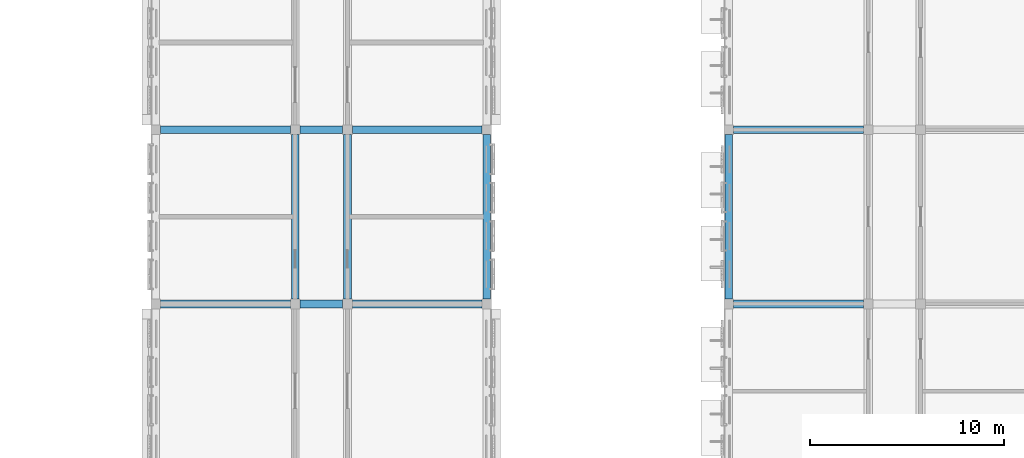
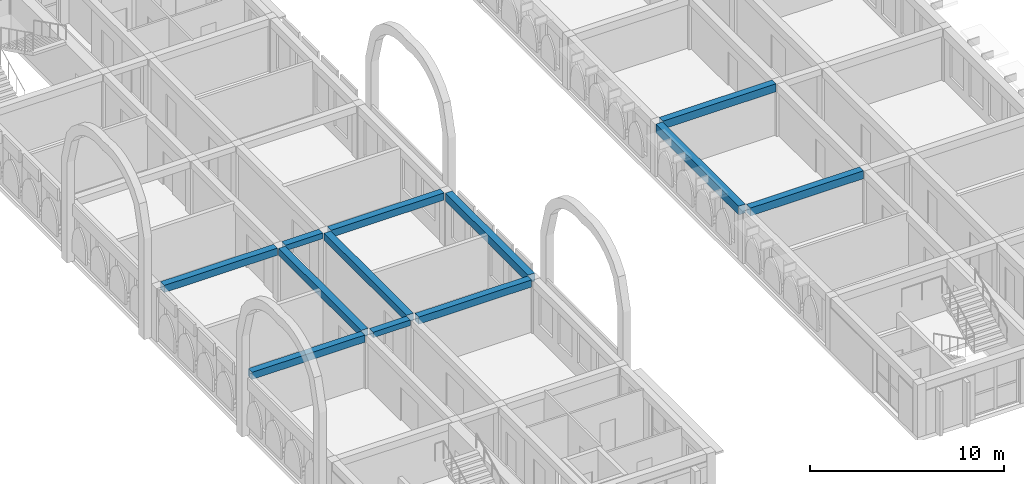
# One storey, part 24 of 65: 12 beams.
"""IFC4 building model written with IfcOpenShell, lengths in metres."""

from ifc_helpers import new_model, si_unit, direction, frame, origin, origin_2d, place, context, subcontext, project, spatial, rectangle, extrude, material, material_profile, profile_set, type_object, element, save


model = new_model("IFC4")

# Units and contexts
model_context = context("Model", 3, precision=1e-05, world=origin(), true_north=direction((0.0, 1.0)))
body_context = subcontext(model_context, "Body", "Model", "MODEL_VIEW")
ifc_project = project(units=[si_unit("LENGTHUNIT", "METRE"), si_unit("AREAUNIT", "SQUARE_METRE"), si_unit("VOLUMEUNIT", "CUBIC_METRE"), si_unit("PLANEANGLEUNIT", "RADIAN"), si_unit("MASSUNIT", "GRAM", prefix="KILO")], contexts=[model_context])

# Site, building, storey
site_placement = place(None, origin())
site = spatial("IfcSite", under=ifc_project, at=site_placement, CompositionType="ELEMENT")
building_placement = place(site_placement, origin())
building = spatial("IfcBuilding", under=site, at=building_placement, Name="Elbe Cascade School", CompositionType="ELEMENT")
storey_placement = place(building_placement, frame((0.0, 0.0, 11.699951171875)))
storey = spatial("IfcBuildingStorey", under=building, at=storey_placement, Name="L03", CompositionType="ELEMENT", Elevation=11.699951171875)

# Beams
ifc_material_1 = material(Name="Concrete C30/37", Category="concrete")
ifc_material_profile_1 = material_profile(ifc_material_1, rectangle(XDim=0.39990234375, YDim=0.35009765625, at=origin_2d()), Name="RC 400x350")
ifc_profile_set_1 = profile_set([ifc_material_profile_1], Name="Concrete C30/37")
beam_type_1 = type_object("IfcBeamType", Name="RC 400x350 beam", PredefinedType="BEAM", material=ifc_profile_set_1)
for number, where, z_axis, x_axis, name in (
    (1, (76.449951171875, 24.0, 3.175048828125), (1.0, 0.0, 0.0), (0.0, 1.0, 0.0), "RC 400x350 beam B3"),
    (2, (76.449951171875, 33.0, 3.175048828125), (1.0, 0.0, 0.0), (0.0, 1.0, 0.0), "RC 400x350 beam B3"),
):
    element("IfcBeam", number, at=place(storey_placement, frame(where, z_axis=z_axis, x_axis=x_axis)), inside=storey, type_object=beam_type_1, Name=name, PredefinedType="BEAM", context=body_context, shape_type="SweptSolid", body=[
        extrude(rectangle(XDim=0.39990234375, YDim=0.35009765625, at=origin_2d()), origin(), (0.0, 0.0, 1.0), 2.199951171875),
    ])
ifc_material_2 = material(Name="Concrete C30/37", Category="concrete")
ifc_material_profile_2 = material_profile(ifc_material_2, rectangle(XDim=0.39990234375, YDim=0.449951171875, at=origin_2d()), Name="RC 400x450")
ifc_profile_set_2 = profile_set([ifc_material_profile_2], Name="Concrete C30/37")
beam_type_2 = type_object("IfcBeamType", Name="RC 400x450 beam", PredefinedType="BEAM", material=ifc_profile_set_2)
for number, where, z_axis, x_axis, name in (
    (3, (76.199951171875, 24.25, 3.125), (0.0, 1.0, 0.0), (-1.0, 0.0, 0.0), "RC 400x450 beam B2"),
    (4, (78.89990234375, 24.25, 3.125), (0.0, 1.0, 0.0), (-1.0, 0.0, 0.0), "RC 400x450 beam B2"),
):
    element("IfcBeam", number, at=place(storey_placement, frame(where, z_axis=z_axis, x_axis=x_axis)), inside=storey, type_object=beam_type_2, Name=name, PredefinedType="BEAM", context=body_context, shape_type="SweptSolid", body=[
        extrude(rectangle(XDim=0.39990234375, YDim=0.449951171875, at=origin_2d()), origin(), (0.0, 0.0, 1.0), 8.5),
    ])
beam_1_placement = place(storey_placement, frame((69.25, 24.0, 3.125), z_axis=(1.0, 0.0, 0.0), x_axis=(0.0, 1.0, 0.0)))
element("IfcBeam", 5, at=beam_1_placement, inside=storey, type_object=beam_type_2, Name="RC 400x450 beam B2", PredefinedType="BEAM", context=body_context, shape_type="SweptSolid", body=[
    extrude(rectangle(XDim=0.39990234375, YDim=0.449951171875, at=origin_2d()), origin(), (0.0, 0.0, 1.0), 6.699951171875),
])
beam_2_placement = place(storey_placement, frame((79.14990234375, 24.0, 3.125), z_axis=(1.0, 0.0, 0.0), x_axis=(0.0, 1.0, 0.0)))
element("IfcBeam", 6, at=beam_2_placement, inside=storey, type_object=beam_type_2, Name="RC 400x450 beam B2", PredefinedType="BEAM", context=body_context, shape_type="SweptSolid", body=[
    extrude(rectangle(XDim=0.39990234375, YDim=0.449951171875, at=origin_2d()), origin(), (0.0, 0.0, 1.0), 6.7001953125),
])
beam_3_placement = place(storey_placement, frame((69.25, 33.0, 3.125), z_axis=(1.0, 0.0, 0.0), x_axis=(0.0, 1.0, 0.0)))
element("IfcBeam", 7, at=beam_3_placement, inside=storey, type_object=beam_type_2, Name="RC 400x450 beam B2", PredefinedType="BEAM", context=body_context, shape_type="SweptSolid", body=[
    extrude(rectangle(XDim=0.39990234375, YDim=0.449951171875, at=origin_2d()), origin(), (0.0, 0.0, 1.0), 6.699951171875),
])
beam_4_placement = place(storey_placement, frame((79.14990234375, 33.0, 3.125), z_axis=(1.0, 0.0, 0.0), x_axis=(0.0, 1.0, 0.0)))
element("IfcBeam", 8, at=beam_4_placement, inside=storey, type_object=beam_type_2, Name="RC 400x450 beam B2", PredefinedType="BEAM", context=body_context, shape_type="SweptSolid", body=[
    extrude(rectangle(XDim=0.39990234375, YDim=0.449951171875, at=origin_2d()), origin(), (0.0, 0.0, 1.0), 6.7001953125),
])
ifc_material_3 = material(Name="Concrete C30/37", Category="concrete")
ifc_material_profile_3 = material_profile(ifc_material_3, rectangle(XDim=0.39990234375, YDim=0.5, at=origin_2d()), Name="RC 400x500")
ifc_profile_set_3 = profile_set([ifc_material_profile_3], Name="Concrete C30/37")
beam_type_3 = type_object("IfcBeamType", Name="RC 400x500 beam", PredefinedType="BEAM", material=ifc_profile_set_3)
beam_5_placement = place(storey_placement, frame((86.10009765625, 24.25, 3.10009765625), z_axis=(0.0, 1.0, 0.0), x_axis=(-1.0, 0.0, 0.0)))
element("IfcBeam", 9, at=beam_5_placement, inside=storey, type_object=beam_type_3, Name="RC 400x500 beam B1", PredefinedType="BEAM", context=body_context, shape_type="SweptSolid", body=[
    extrude(rectangle(XDim=0.39990234375, YDim=0.5, at=origin_2d()), origin(), (0.0, 0.0, 1.0), 8.5),
])
for number, where, z_axis, x_axis, name in (
    (10, (98.85009765625, 24.0, 3.050048828125), (1.0, 0.0, 0.0), (0.0, 1.0, 0.0), "RC 400x500 beam B1"),
    (11, (98.85009765625, 33.0, 3.050048828125), (1.0, 0.0, 0.0), (0.0, 1.0, 0.0), "RC 400x500 beam B1"),
):
    element("IfcBeam", number, at=place(storey_placement, frame(where, z_axis=z_axis, x_axis=x_axis)), inside=storey, type_object=beam_type_3, Name=name, PredefinedType="BEAM", context=body_context, shape_type="SweptSolid", body=[
        extrude(rectangle(XDim=0.39990234375, YDim=0.5, at=origin_2d()), origin(), (0.0, 0.0, 1.0), 6.699951171875),
    ])
ifc_material_4 = material(Name="Concrete C30/37", Category="concrete")
ifc_material_profile_4 = material_profile(ifc_material_4, rectangle(XDim=0.39990234375, YDim=0.550048828125, at=origin_2d()), Name="RC 400x550")
ifc_profile_set_4 = profile_set([ifc_material_profile_4], Name="Concrete C30/37")
beam_type_4 = type_object("IfcBeamType", Name="RC 400x550 beam", PredefinedType="BEAM", material=ifc_profile_set_4)
beam_6_placement = place(storey_placement, frame((98.60009765625, 24.25, 3.025146484375), z_axis=(0.0, 1.0, 0.0), x_axis=(-1.0, 0.0, 0.0)))
element("IfcBeam", 12, at=beam_6_placement, inside=storey, type_object=beam_type_4, Name="RC 400x550 beam B4", PredefinedType="BEAM", context=body_context, shape_type="SweptSolid", body=[
    extrude(rectangle(XDim=0.39990234375, YDim=0.550048828125, at=origin_2d()), origin(), (0.0, 0.0, 1.0), 8.5),
])

save(model, "model.ifc")
